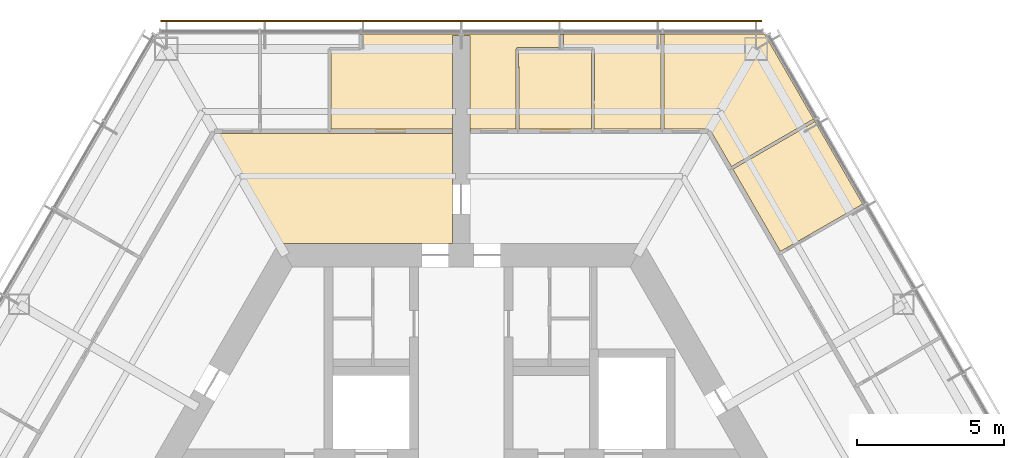
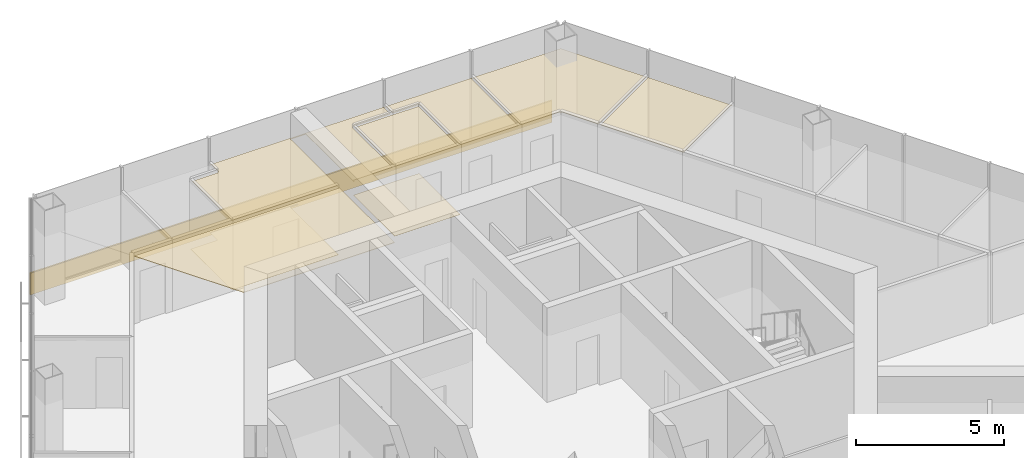
# One storey, part 13 of 13: 9 coverings, 1 shading device.
"""IFC4 building model written with IfcOpenShell, lengths in metres."""

from ifc_helpers import new_model, si_unit, direction, frame, origin, origin_2d, place, context, subcontext, project, spatial, polyline, rectangle, outline, extrude, material, layer, layer_set, type_object, element, save


model = new_model("IFC4")

# Units and contexts
model_context = context("Model", 3, precision=1e-05, world=origin(), true_north=direction((0.0, 1.0)))
body_context = subcontext(model_context, "Body", "Model", "MODEL_VIEW")
ifc_project = project(units=[si_unit("LENGTHUNIT", "METRE"), si_unit("AREAUNIT", "SQUARE_METRE"), si_unit("VOLUMEUNIT", "CUBIC_METRE"), si_unit("PLANEANGLEUNIT", "RADIAN"), si_unit("MASSUNIT", "GRAM", prefix="KILO")], contexts=[model_context])

# Site, building, storey
site_placement = place(None, origin())
site = spatial("IfcSite", under=ifc_project, at=site_placement, CompositionType="ELEMENT")
building_placement = place(site_placement, origin())
building = spatial("IfcBuilding", under=site, at=building_placement, Name="Kasaneha Research Tower", CompositionType="ELEMENT")
storey_placement = place(building_placement, frame((0.0, 0.0, 294.699951171875)))
storey = spatial("IfcBuildingStorey", under=building, at=storey_placement, Name="L74", CompositionType="ELEMENT", Elevation=294.699951171875)

# Coverings
ifc_material_1 = material(Name="Gypsum ceiling board", Category="gypsum")
ifc_layer_1 = layer(ifc_material_1, 0.02001953125)
ifc_layer_set_1 = layer_set([ifc_layer_1], Name="Suspended ceiling 20")
covering_type_1 = type_object("IfcCoveringType", Name="Suspended ceiling 20", PredefinedType="CEILING", material=ifc_layer_set_1)
covering_1_placement = place(storey_placement, frame((0.0, 0.0, 2.800048828125)))
element("IfcCovering", 1, at=covering_1_placement, inside=storey, type_object=covering_type_1, Name="Ceiling L74-28", PredefinedType="CEILING", context=body_context, shape_type="SweptSolid", body=[
    extrude(outline(polyline([(1.9501953125, 17.27490234375), (3.410400390625, 17.27490234375), (3.42041015625, 17.27490234375), (4.414794921875, 17.27490234375), (4.41015625, 14.60009765625), (1.954833984375, 14.60009765625), (1.9501953125, 17.27490234375)])), origin(), (0.0, 0.0, 1.0), 0.02001953125),
])
covering_2_placement = place(storey_placement, frame((0.0, 0.0, 2.800048828125)))
element("IfcCovering", 2, at=covering_2_placement, inside=storey, type_object=covering_type_1, Name="Ceiling L74-30", PredefinedType="CEILING", context=body_context, shape_type="SweptSolid", body=[
    extrude(outline(polyline([(13.623291015625, 12.004638671875), (13.598388671875, 12.0478515625), (10.824951171875, 10.450927734375), (9.213623046875, 13.241455078125), (11.99169921875, 14.850830078125), (11.966552734375, 14.894287109375), (11.975341796875, 14.899169921875), (13.640869140625, 12.0146484375), (13.623291015625, 12.004638671875)])), origin(), (0.0, 0.0, 1.0), 0.02001953125),
])
covering_3_placement = place(storey_placement, frame((0.0, 0.0, 2.800048828125)))
element("IfcCovering", 3, at=covering_3_placement, inside=storey, type_object=covering_type_1, Name="Ceiling L74-31", PredefinedType="CEILING", context=body_context, shape_type="SweptSolid", body=[
    extrude(outline(polyline([(6.8310546875, 17.800537109375), (6.781005859375, 17.800537109375), (6.776123046875, 14.60009765625), (4.510009765625, 14.60009765625), (4.514892578125, 17.324951171875), (4.465087890625, 17.324951171875), (4.465087890625, 17.375), (3.469970703125, 17.375), (3.465576171875, 17.801025390625), (3.41552734375, 17.800537109375), (3.41552734375, 17.820556640625), (6.8310546875, 17.820556640625), (6.8310546875, 17.800537109375)])), origin(), (0.0, 0.0, 1.0), 0.02001953125),
])
covering_4_placement = place(storey_placement, frame((0.0, 0.0, 2.800048828125)))
element("IfcCovering", 4, at=covering_4_placement, inside=storey, type_object=covering_type_1, Name="Ceiling L74-32", PredefinedType="CEILING", context=body_context, shape_type="SweptSolid", body=[
    extrude(outline(polyline([(3.41552734375, 17.820556640625), (3.41552734375, 17.800537109375), (3.365478515625, 17.800048828125), (3.369873046875, 17.375), (1.89990234375, 17.375), (1.89990234375, 17.324951171875), (1.85009765625, 17.324951171875), (1.85498046875, 14.60009765625), (0.320068359375, 14.60009765625), (0.320068359375, 14.52490234375), (0.300048828125, 14.52490234375), (0.300048828125, 17.7705078125), (0.300048828125, 17.7705078125), (0.0, 17.7705078125), (0.0, 17.820556640625), (3.41552734375, 17.820556640625)])), origin(), (0.0, 0.0, 1.0), 0.02001953125),
])
covering_5_placement = place(storey_placement, frame((0.0, 0.0, 2.800048828125)))
element("IfcCovering", 5, at=covering_5_placement, inside=storey, type_object=covering_type_1, Name="Ceiling L74-34", PredefinedType="CEILING", context=body_context, shape_type="SweptSolid", body=[
    extrude(outline(polyline([(6.8310546875, 17.820556640625), (10.2890625, 17.821044921875), (11.975341796875, 14.8994140625), (11.966552734375, 14.894287109375), (11.941650390625, 14.9375), (9.16357421875, 13.328125), (8.450927734375, 14.5625), (8.385986328125, 14.52490234375), (8.385986328125, 14.60009765625), (6.8759765625, 14.60009765625), (6.880859375, 17.800537109375), (6.8310546875, 17.800537109375), (6.8310546875, 17.820556640625)])), origin(), (0.0, 0.0, 1.0), 0.02001953125),
])
covering_6_placement = place(storey_placement, frame((0.0, 0.0, 2.800048828125)))
element("IfcCovering", 6, at=covering_6_placement, inside=storey, type_object=covering_type_1, Name="Ceiling L74-36", PredefinedType="CEILING", context=body_context, shape_type="SweptSolid", body=[
    extrude(outline(polyline([(-0.300048828125, 11.72509765625), (-0.300048828125, 10.72509765625), (-6.192138671875, 10.72509765625), (-8.3427734375, 14.449951171875), (-6.8359375, 14.449951171875), (-6.826416015625, 14.449951171875), (-4.469970703125, 14.449951171875), (-4.4599609375, 14.449951171875), (-0.320068359375, 14.449951171875), (-0.320068359375, 14.52490234375), (-0.300048828125, 14.52490234375), (-0.300048828125, 12.72509765625), (-0.300048828125, 11.72509765625)])), origin(), (0.0, 0.0, 1.0), 0.02001953125),
])
covering_7_placement = place(storey_placement, frame((0.0, 0.0, 2.800048828125)))
element("IfcCovering", 7, at=covering_7_placement, inside=storey, type_object=covering_type_1, Name="Ceiling L74-37", PredefinedType="CEILING", context=body_context, shape_type="SweptSolid", body=[
    extrude(outline(polyline([(0.000244140625, 17.82080078125), (0.0, 17.7705078125), (-0.300048828125, 17.7705078125), (-0.300048828125, 14.525146484375), (-0.320068359375, 14.525146484375), (-0.320068359375, 14.60009765625), (-4.41015625, 14.60009765625), (-4.414794921875, 17.27490234375), (-3.4150390625, 17.27490234375), (-3.4150390625, 17.324951171875), (-3.4150390625, 17.324951171875), (-3.364990234375, 17.324951171875), (-3.364990234375, 17.800537109375), (-3.4150390625, 17.800537109375), (-3.4150390625, 17.821044921875), (0.000244140625, 17.82080078125)])), origin(), (0.0, 0.0, 1.0), 0.02001953125),
])

# Shading device
ifc_material_2 = material(Name="Terracotta", Category="masonry")
ifc_layer_2 = layer(ifc_material_2, 0.06005859375)
ifc_layer_set_2 = layer_set([ifc_layer_2], Name="Terracotta baguette screen")
shading_device_type = type_object("IfcShadingDeviceType", Name="Terracotta baguette screen", PredefinedType="USERDEFINED", material=ifc_layer_set_2)
shading_device_placement = place(storey_placement, frame((0.0, 18.2705078125, -0.449951171875), z_axis=(0.0, 0.0, 1.0), x_axis=(-1.0, 0.0, 0.0)))
element("IfcShadingDevice", 8, at=shading_device_placement, inside=storey, type_object=shading_device_type, Name="Baguette screen L74 02", ObjectType="TERRACOTTA BAGUETTE SCREEN", PredefinedType="USERDEFINED", context=body_context, shape_type="SweptSolid", body=[
    extrude(rectangle(XDim=20.392822265625, YDim=0.06005859375, at=origin_2d()), origin(), (0.0, 0.0, 1.0), 0.89990234375),
])

# Coverings
ifc_material_3 = material(Name="Vinyl sheet flooring", Category="plastic")
ifc_layer_3 = layer(ifc_material_3, 0.0048828125)
ifc_layer_set_3 = layer_set([ifc_layer_3], Name="Wet room sheet flooring 5")
covering_type_2 = type_object("IfcCoveringType", Name="Wet room sheet flooring 5", PredefinedType="FLOORING", material=ifc_layer_set_3)
covering_8_placement = place(storey_placement, origin())
element("IfcCovering", 9, at=covering_8_placement, inside=storey, type_object=covering_type_2, Name="Floor finish L74-28", PredefinedType="FLOORING", context=body_context, shape_type="SweptSolid", body=[
    extrude(outline(polyline([(1.89990234375, 17.324951171875), (4.465087890625, 17.324951171875), (4.465087890625, 14.52490234375), (1.89990234375, 14.52490234375), (1.89990234375, 17.324951171875)])), origin(), (0.0, 0.0, 1.0), 0.005126953125),
])
covering_9_placement = place(storey_placement, origin())
element("IfcCovering", 10, at=covering_9_placement, inside=storey, type_object=covering_type_2, Name="Floor finish L74-37", PredefinedType="FLOORING", context=body_context, shape_type="SweptSolid", body=[
    extrude(outline(polyline([(-3.4150390625, 17.324951171875), (-3.4150390625, 17.821044921875), (0.000244140625, 17.82080078125), (0.0, 17.77001953125), (-0.299560546875, 17.77001953125), (-0.299560546875, 14.525146484375), (-4.465087890625, 14.52490234375), (-4.465087890625, 17.324951171875), (-3.4150390625, 17.324951171875)])), origin(), (0.0, 0.0, 1.0), 0.005126953125),
])

save(model, "model.ifc")
